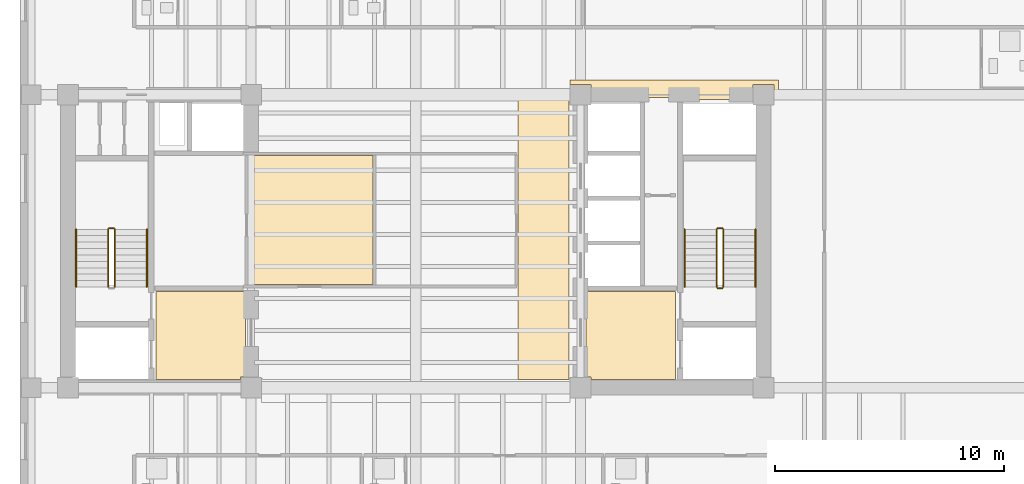
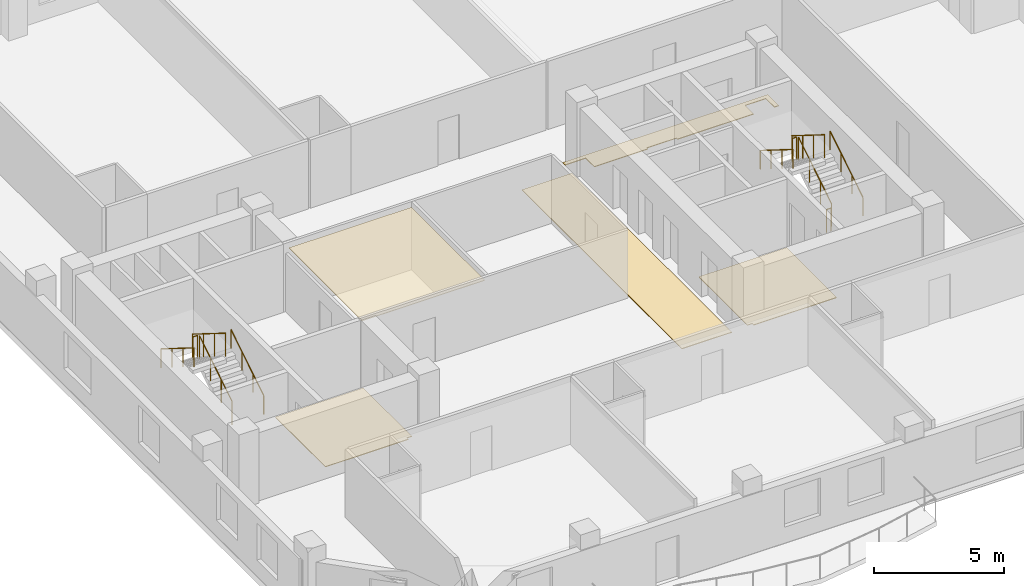
# One storey, part 7 of 9: 11 railings, 5 coverings.
"""IFC4 building model written with IfcOpenShell, lengths in metres."""

from ifc_helpers import new_model, si_unit, direction, frame, origin, origin_2d, place, context, subcontext, project, spatial, polyline, circle, outline, extrude, material, layer, layer_set, type_object, element, save


model = new_model("IFC4")

# Units and contexts
model_context = context("Model", 3, precision=1e-05, world=origin(), true_north=direction((0.0, 1.0)))
body_context = subcontext(model_context, "Body", "Model", "MODEL_VIEW")
ifc_project = project(units=[si_unit("LENGTHUNIT", "METRE"), si_unit("AREAUNIT", "SQUARE_METRE"), si_unit("VOLUMEUNIT", "CUBIC_METRE"), si_unit("PLANEANGLEUNIT", "RADIAN"), si_unit("MASSUNIT", "GRAM", prefix="KILO")], contexts=[model_context])

# Site, building, storey
site_placement = place(None, origin())
site = spatial("IfcSite", under=ifc_project, at=site_placement, CompositionType="ELEMENT")
building_placement = place(site_placement, origin())
building = spatial("IfcBuilding", under=site, at=building_placement, Name="Kranthara Brick Stack", CompositionType="ELEMENT")
storey_placement = place(building_placement, frame((0.0, 0.0, 165.800048828125)))
storey = spatial("IfcBuildingStorey", under=building, at=storey_placement, Name="L42", CompositionType="ELEMENT", Elevation=165.800048828125)

# Coverings
ifc_material_1 = material(Name="Perforated mineral-fibre acoustic ceiling tile", Category="other")
ifc_layer_1 = layer(ifc_material_1, 0.02490234375)
ifc_layer_set_1 = layer_set([ifc_layer_1], Name="Perforated mineral-fibre acoustic ceiling tile")
covering_type_1 = type_object("IfcCoveringType", Name="COV-CEIL-ACOUSTIC", PredefinedType="CEILING", material=ifc_layer_set_1)
covering_1_placement = place(storey_placement, frame((0.0, 0.0, 2.929931640625)))
element("IfcCovering", 1, at=covering_1_placement, inside=storey, type_object=covering_type_1, Name="L42 L42 Hotel Tea Salon Acoustic Ceiling", PredefinedType="CEILING", context=body_context, shape_type="SweptSolid", body=[
    extrude(outline(polyline([(26.1201171875, 25.300048828125), (26.1201171875, 30.93994140625), (20.679931640625, 30.93994140625), (20.679931640625, 25.300048828125), (26.1201171875, 25.300048828125)])), origin(), (0.0, 0.0, 1.0), 0.02490234375),
])
ifc_material_2 = material(Name="Honed terrazzo and porcelain floor finish", Category="stone")
ifc_layer_2 = layer(ifc_material_2, 0.030029296875)
ifc_layer_set_2 = layer_set([ifc_layer_2], Name="Honed terrazzo and porcelain floor finish")
covering_type_2 = type_object("IfcCoveringType", Name="COV-FLOR-STONE", PredefinedType="FLOORING", material=ifc_layer_set_2)
covering_2_placement = place(storey_placement, origin())
element("IfcCovering", 2, at=covering_2_placement, inside=storey, type_object=covering_type_2, Name="L42 Lift Lobby Stone Flooring", PredefinedType="FLOORING", context=body_context, shape_type="SweptSolid", body=[
    extrude(outline(polyline([(16.64990234375, 21.14990234375), (16.64990234375, 25.0), (20.550048828125, 25.0), (20.550048828125, 21.260009765625), (20.340087890625, 21.260009765625), (20.340087890625, 21.14990234375), (16.64990234375, 21.14990234375)])), origin(), (0.0, 0.0, 1.0), 0.030029296875),
])
covering_3_placement = place(storey_placement, origin())
element("IfcCovering", 3, at=covering_3_placement, inside=storey, type_object=covering_type_2, Name="L42 Lift Lobby Stone Flooring", PredefinedType="FLOORING", context=body_context, shape_type="SweptSolid", body=[
    extrude(outline(polyline([(35.449951171875, 25.0), (39.35009765625, 25.0), (39.35009765625, 21.14990234375), (35.659912109375, 21.14990234375), (35.659912109375, 21.260009765625), (35.449951171875, 21.260009765625), (35.449951171875, 25.0)])), origin(), (0.0, 0.0, 1.0), 0.030029296875),
])
covering_4_placement = place(storey_placement, origin())
element("IfcCovering", 4, at=covering_4_placement, inside=storey, type_object=covering_type_2, Name="L42 Lift Lobby Stone Flooring", PredefinedType="FLOORING", context=body_context, shape_type="SweptSolid", body=[
    extrude(outline(polyline([(34.699951171875, 21.14990234375), (34.699951171875, 33.449951171875), (32.47998046875, 33.449951171875), (32.47998046875, 21.14990234375), (34.699951171875, 21.14990234375)])), origin(), (0.0, 0.0, 1.0), 0.030029296875),
])
covering_5_placement = place(storey_placement, origin())
element("IfcCovering", 5, at=covering_5_placement, inside=storey, type_object=covering_type_2, Name="L42 Lift Lobby Stone Flooring", PredefinedType="FLOORING", context=body_context, shape_type="SweptSolid", body=[
    extrude(outline(polyline([(43.659912109375, 33.39990234375), (43.659912109375, 34.06005859375), (42.739990234375, 34.06005859375), (42.739990234375, 33.39990234375), (39.35009765625, 33.39990234375), (39.35009765625, 33.47998046875), (38.050048828125, 33.47998046875), (38.050048828125, 33.39990234375), (35.659912109375, 33.39990234375), (35.659912109375, 34.06005859375), (34.75, 34.06005859375), (34.75, 34.25), (43.85009765625, 34.25), (43.85009765625, 33.39990234375), (43.659912109375, 33.39990234375)])), origin(), (0.0, 0.0, 1.0), 0.030029296875),
])

# Railings
ifc_material_3 = material(Name="Painted galvanized steel stair guardrail", Category="steel")
railing_type_1 = type_object("IfcRailingType", Name="RL-STAIR-GUARD-1100", PredefinedType="GUARDRAIL", material=ifc_material_3)
railing_1_placement = place(storey_placement, frame((14.85009765625, 25.199951171875, 0.175048828125)))
element("IfcRailing", 6, at=railing_1_placement, inside=storey, type_object=railing_type_1, Name="L42 ST01 stair guard 1", PredefinedType="GUARDRAIL", context=body_context, shape_type="SweptSolid", body=[
    extrude(circle(Radius=0.02392578125, at=origin_2d()), frame((0.0, 0.0, 1.076171875), z_axis=(0.0, 0.848007534815, 0.529984170421), x_axis=(-1.0, 0.0, 0.0)), (0.0, 0.0, 1.0), 2.9716796875),
    extrude(circle(Radius=0.02099609375, at=origin_2d()), origin(), (0.0, 0.0, 1.0), 1.052001953125),
    extrude(circle(Radius=0.02099609375, at=origin_2d()), frame((0.0, 0.840087890625, 0.52490234375)), (0.0, 0.0, 1.0), 1.052001953125),
    extrude(circle(Radius=0.02099609375, at=origin_2d()), frame((0.0, 1.679931640625, 1.050048828125)), (0.0, 0.0, 1.0), 1.052001953125),
    extrude(circle(Radius=0.02099609375, at=origin_2d()), frame((0.0, 2.52001953125, 1.574951171875)), (0.0, 0.0, 1.0), 1.052001953125),
])
railing_2_placement = place(storey_placement, frame((14.800048828125, 27.77001953125, 1.75)))
element("IfcRailing", 7, at=railing_2_placement, inside=storey, type_object=railing_type_1, Name="L42 ST01 stair guard 2", PredefinedType="GUARDRAIL", context=body_context, shape_type="SweptSolid", body=[
    extrude(circle(Radius=0.02392578125, at=origin_2d()), frame((0.0, 0.0, 1.076171875), z_axis=(-1.0, 0.0, 0.0), x_axis=(0.0, -1.0, 0.0)), (0.0, 0.0, 1.0), 0.199951171875),
    extrude(circle(Radius=0.02099609375, at=origin_2d()), origin(), (0.0, 0.0, 1.0), 1.052001953125),
    extrude(circle(Radius=0.02099609375, at=origin_2d()), frame((-0.199951171875, 0.0, 0.0)), (0.0, 0.0, 1.0), 1.052001953125),
])
railing_3_placement = place(storey_placement, frame((14.550048828125, 27.719970703125, 1.925048828125)))
element("IfcRailing", 8, at=railing_3_placement, inside=storey, type_object=railing_type_1, Name="L42 ST01 stair guard 3", PredefinedType="GUARDRAIL", context=body_context, shape_type="SweptSolid", body=[
    extrude(circle(Radius=0.02392578125, at=origin_2d()), frame((0.0, 0.0, 1.076171875), z_axis=(0.0, -0.848007534815, 0.529984170421), x_axis=(1.0, 0.0, 0.0)), (0.0, 0.0, 1.0), 2.9716796875),
    extrude(circle(Radius=0.02099609375, at=origin_2d()), origin(), (0.0, 0.0, 1.0), 1.052001953125),
    extrude(circle(Radius=0.02099609375, at=origin_2d()), frame((0.0, -0.840087890625, 0.52490234375)), (0.0, 0.0, 1.0), 1.052001953125),
    extrude(circle(Radius=0.02099609375, at=origin_2d()), frame((0.0, -1.679931640625, 1.050048828125)), (0.0, 0.0, 1.0), 1.052001953125),
    extrude(circle(Radius=0.02099609375, at=origin_2d()), frame((0.0, -2.52001953125, 1.574951171875)), (0.0, 0.0, 1.0), 1.052001953125),
])
railing_4_placement = place(storey_placement, frame((41.449951171875, 25.199951171875, 0.175048828125)))
element("IfcRailing", 9, at=railing_4_placement, inside=storey, type_object=railing_type_1, Name="L42 ST02 stair guard 1", PredefinedType="GUARDRAIL", context=body_context, shape_type="SweptSolid", body=[
    extrude(circle(Radius=0.02392578125, at=origin_2d()), frame((0.0, 0.0, 1.076171875), z_axis=(0.0, 0.848007534815, 0.529984170421), x_axis=(-1.0, 0.0, 0.0)), (0.0, 0.0, 1.0), 2.9716796875),
    extrude(circle(Radius=0.02099609375, at=origin_2d()), origin(), (0.0, 0.0, 1.0), 1.052001953125),
    extrude(circle(Radius=0.02099609375, at=origin_2d()), frame((0.0, 0.840087890625, 0.52490234375)), (0.0, 0.0, 1.0), 1.052001953125),
    extrude(circle(Radius=0.02099609375, at=origin_2d()), frame((0.0, 1.679931640625, 1.050048828125)), (0.0, 0.0, 1.0), 1.052001953125),
    extrude(circle(Radius=0.02099609375, at=origin_2d()), frame((0.0, 2.52001953125, 1.574951171875)), (0.0, 0.0, 1.0), 1.052001953125),
])
railing_5_placement = place(storey_placement, frame((41.39990234375, 27.77001953125, 1.75)))
element("IfcRailing", 10, at=railing_5_placement, inside=storey, type_object=railing_type_1, Name="L42 ST02 stair guard 2", PredefinedType="GUARDRAIL", context=body_context, shape_type="SweptSolid", body=[
    extrude(circle(Radius=0.02392578125, at=origin_2d()), frame((0.0, 0.0, 1.076171875), z_axis=(-1.0, 0.0, 0.0), x_axis=(0.0, -1.0, 0.0)), (0.0, 0.0, 1.0), 0.199951171875),
    extrude(circle(Radius=0.02099609375, at=origin_2d()), origin(), (0.0, 0.0, 1.0), 1.052001953125),
    extrude(circle(Radius=0.02099609375, at=origin_2d()), frame((-0.199951171875, 0.0, 0.0)), (0.0, 0.0, 1.0), 1.052001953125),
])
railing_6_placement = place(storey_placement, frame((41.14990234375, 27.719970703125, 1.925048828125)))
element("IfcRailing", 11, at=railing_6_placement, inside=storey, type_object=railing_type_1, Name="L42 ST02 stair guard 3", PredefinedType="GUARDRAIL", context=body_context, shape_type="SweptSolid", body=[
    extrude(circle(Radius=0.02392578125, at=origin_2d()), frame((0.0, 0.0, 1.076171875), z_axis=(0.0, -0.848007534815, 0.529984170421), x_axis=(1.0, 0.0, 0.0)), (0.0, 0.0, 1.0), 2.9716796875),
    extrude(circle(Radius=0.02099609375, at=origin_2d()), origin(), (0.0, 0.0, 1.0), 1.052001953125),
    extrude(circle(Radius=0.02099609375, at=origin_2d()), frame((0.0, -0.840087890625, 0.52490234375)), (0.0, 0.0, 1.0), 1.052001953125),
    extrude(circle(Radius=0.02099609375, at=origin_2d()), frame((0.0, -1.679931640625, 1.050048828125)), (0.0, 0.0, 1.0), 1.052001953125),
    extrude(circle(Radius=0.02099609375, at=origin_2d()), frame((0.0, -2.52001953125, 1.574951171875)), (0.0, 0.0, 1.0), 1.052001953125),
])
railing_7_placement = place(storey_placement, frame((41.39990234375, 25.14990234375, 0.0)))
element("IfcRailing", 12, at=railing_7_placement, inside=storey, type_object=railing_type_1, Name="L42 ST02 stair guard 4", PredefinedType="GUARDRAIL", context=body_context, shape_type="SweptSolid", body=[
    extrude(circle(Radius=0.02392578125, at=origin_2d()), frame((0.0, 0.0, 1.076171875), z_axis=(-1.0, 0.0, 0.0), x_axis=(0.0, -1.0, 0.0)), (0.0, 0.0, 1.0), 0.199951171875),
    extrude(circle(Radius=0.02099609375, at=origin_2d()), origin(), (0.0, 0.0, 1.0), 1.052001953125),
    extrude(circle(Radius=0.02099609375, at=origin_2d()), frame((-0.199951171875, 0.0, 0.0)), (0.0, 0.0, 1.0), 1.052001953125),
])
ifc_material_4 = material(Name="Brushed stainless steel tubular handrail", Category="steel")
railing_type_2 = type_object("IfcRailingType", Name="RL-STAIR-HAND-900", PredefinedType="HANDRAIL", material=ifc_material_4)
railing_8_placement = place(storey_placement, frame((16.25, 25.199951171875, 0.175048828125)))
element("IfcRailing", 13, at=railing_8_placement, inside=storey, type_object=railing_type_2, Name="L42 ST01 stair handrail 1", PredefinedType="HANDRAIL", context=body_context, shape_type="SweptSolid", body=[
    extrude(circle(Radius=0.02392578125, at=origin_2d()), frame((0.0, 0.0, 0.8759765625), z_axis=(0.0, 0.848007534815, 0.529984170421), x_axis=(-1.0, 0.0, 0.0)), (0.0, 0.0, 1.0), 2.9716796875),
    extrude(circle(Radius=0.02099609375, at=origin_2d()), origin(), (0.0, 0.0, 1.0), 0.851806640625),
    extrude(circle(Radius=0.02099609375, at=origin_2d()), frame((0.0, 0.840087890625, 0.52490234375)), (0.0, 0.0, 1.0), 0.851806640625),
    extrude(circle(Radius=0.02099609375, at=origin_2d()), frame((0.0, 1.679931640625, 1.050048828125)), (0.0, 0.0, 1.0), 0.851806640625),
    extrude(circle(Radius=0.02099609375, at=origin_2d()), frame((0.0, 2.52001953125, 1.574951171875)), (0.0, 0.0, 1.0), 0.851806640625),
])
railing_9_placement = place(storey_placement, frame((13.14990234375, 27.719970703125, 1.925048828125)))
element("IfcRailing", 14, at=railing_9_placement, inside=storey, type_object=railing_type_2, Name="L42 ST01 stair handrail 2", PredefinedType="HANDRAIL", context=body_context, shape_type="SweptSolid", body=[
    extrude(circle(Radius=0.02392578125, at=origin_2d()), frame((0.0, 0.0, 0.8759765625), z_axis=(0.0, -0.848007534815, 0.529984170421), x_axis=(1.0, 0.0, 0.0)), (0.0, 0.0, 1.0), 2.9716796875),
    extrude(circle(Radius=0.02099609375, at=origin_2d()), origin(), (0.0, 0.0, 1.0), 0.851806640625),
    extrude(circle(Radius=0.02099609375, at=origin_2d()), frame((0.0, -0.840087890625, 0.52490234375)), (0.0, 0.0, 1.0), 0.851806640625),
    extrude(circle(Radius=0.02099609375, at=origin_2d()), frame((0.0, -1.679931640625, 1.050048828125)), (0.0, 0.0, 1.0), 0.851806640625),
    extrude(circle(Radius=0.02099609375, at=origin_2d()), frame((0.0, -2.52001953125, 1.574951171875)), (0.0, 0.0, 1.0), 0.851806640625),
])
railing_10_placement = place(storey_placement, frame((42.85009765625, 25.199951171875, 0.175048828125)))
element("IfcRailing", 15, at=railing_10_placement, inside=storey, type_object=railing_type_2, Name="L42 ST02 stair handrail 1", PredefinedType="HANDRAIL", context=body_context, shape_type="SweptSolid", body=[
    extrude(circle(Radius=0.02392578125, at=origin_2d()), frame((0.0, 0.0, 0.8759765625), z_axis=(0.0, 0.848007534815, 0.529984170421), x_axis=(-1.0, 0.0, 0.0)), (0.0, 0.0, 1.0), 2.9716796875),
    extrude(circle(Radius=0.02099609375, at=origin_2d()), origin(), (0.0, 0.0, 1.0), 0.851806640625),
    extrude(circle(Radius=0.02099609375, at=origin_2d()), frame((0.0, 0.840087890625, 0.52490234375)), (0.0, 0.0, 1.0), 0.851806640625),
    extrude(circle(Radius=0.02099609375, at=origin_2d()), frame((0.0, 1.679931640625, 1.050048828125)), (0.0, 0.0, 1.0), 0.851806640625),
    extrude(circle(Radius=0.02099609375, at=origin_2d()), frame((0.0, 2.52001953125, 1.574951171875)), (0.0, 0.0, 1.0), 0.851806640625),
])
railing_11_placement = place(storey_placement, frame((39.75, 27.719970703125, 1.925048828125)))
element("IfcRailing", 16, at=railing_11_placement, inside=storey, type_object=railing_type_2, Name="L42 ST02 stair handrail 2", PredefinedType="HANDRAIL", context=body_context, shape_type="SweptSolid", body=[
    extrude(circle(Radius=0.02392578125, at=origin_2d()), frame((0.0, 0.0, 0.8759765625), z_axis=(0.0, -0.848007534815, 0.529984170421), x_axis=(1.0, 0.0, 0.0)), (0.0, 0.0, 1.0), 2.9716796875),
    extrude(circle(Radius=0.02099609375, at=origin_2d()), origin(), (0.0, 0.0, 1.0), 0.851806640625),
    extrude(circle(Radius=0.02099609375, at=origin_2d()), frame((0.0, -0.840087890625, 0.52490234375)), (0.0, 0.0, 1.0), 0.851806640625),
    extrude(circle(Radius=0.02099609375, at=origin_2d()), frame((0.0, -1.679931640625, 1.050048828125)), (0.0, 0.0, 1.0), 0.851806640625),
    extrude(circle(Radius=0.02099609375, at=origin_2d()), frame((0.0, -2.52001953125, 1.574951171875)), (0.0, 0.0, 1.0), 0.851806640625),
])

save(model, "model.ifc")
